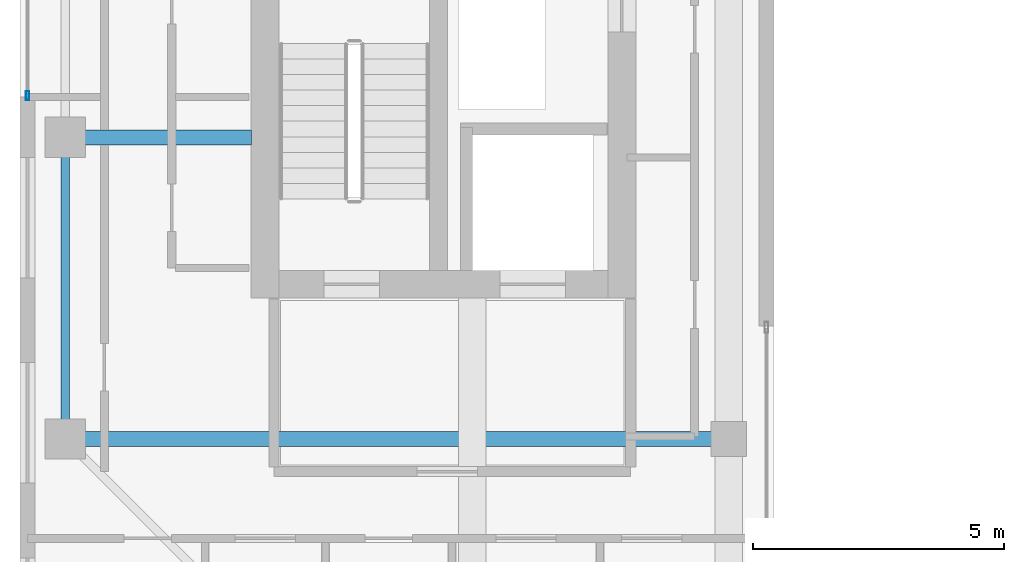
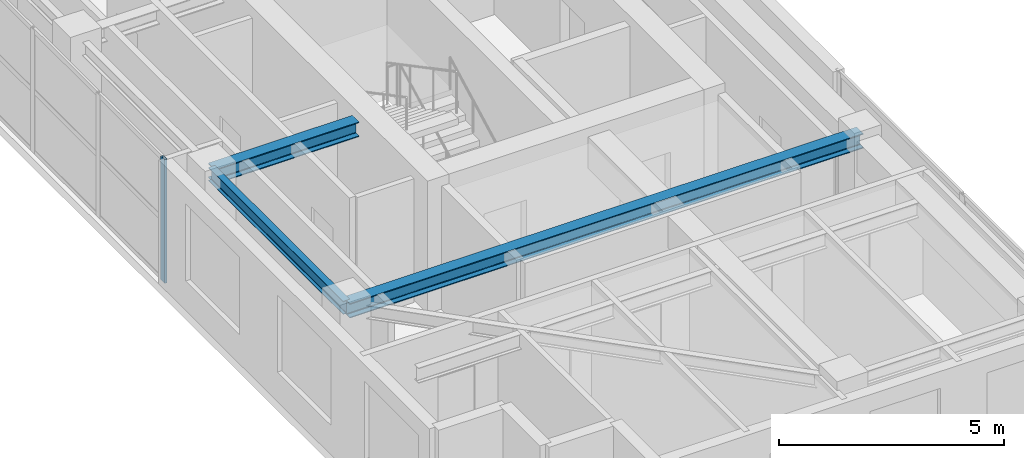
# One storey, part 3 of 23: 3 beams, 1 member, 1 element without a shape of its own.
"""IFC4 building model written with IfcOpenShell, lengths in metres."""

from ifc_helpers import new_model, si_unit, direction, frame, origin, origin_2d, place, context, subcontext, project, spatial, hollow_rectangle, i_section, extrude, source, transform, mapped, material, layer, layer_set, material_profile, profile_set, type_object, element, aggregate, save


model = new_model("IFC4")

# Units and contexts
model_context = context("Model", 3, precision=1e-05, world=origin(), true_north=direction((0.0, 1.0)))
body_context = subcontext(model_context, "Body", "Model", "MODEL_VIEW")
ifc_project = project(units=[si_unit("LENGTHUNIT", "METRE"), si_unit("AREAUNIT", "SQUARE_METRE"), si_unit("VOLUMEUNIT", "CUBIC_METRE"), si_unit("PLANEANGLEUNIT", "RADIAN"), si_unit("MASSUNIT", "GRAM", prefix="KILO")], contexts=[model_context])

# Site, building, storey
site_placement = place(None, origin())
site = spatial("IfcSite", under=ifc_project, at=site_placement, CompositionType="ELEMENT")
building_placement = place(site_placement, origin())
building = spatial("IfcBuilding", under=site, at=building_placement, Name="Khoralis Quay Care Tower", CompositionType="ELEMENT")
storey_placement = place(building_placement, frame((0.0, 0.0, 252.89990234375)))
storey = spatial("IfcBuildingStorey", under=building, at=storey_placement, Name="L66", CompositionType="ELEMENT", Elevation=252.89990234375)

# Beams
ifc_material_1 = material(Name="Steel S355", Category="steel")
ifc_material_profile_1 = material_profile(ifc_material_1, i_section(OverallWidth=0.169921875, OverallDepth=0.360107421875, WebThickness=0.008056640625, FlangeThickness=0.0126953125, FilletRadius=0.01806640625, at=origin_2d()), Name="Steel S355")
ifc_profile_set_1 = profile_set([ifc_material_profile_1], Name="Steel S355")
beam_type_1 = type_object("IfcBeamType", Name="BM-IPE360", PredefinedType="SPANDREL", material=ifc_profile_set_1)
shared_shape_1 = source(origin(), body_context, "Body", "SweptSolid", [
    extrude(i_section(OverallWidth=0.169921875, OverallDepth=0.360107421875, WebThickness=0.008056640625, FlangeThickness=0.0126953125, FilletRadius=0.01806640625, at=origin_2d()), origin(), (0.0, 0.0, 1.0), 6.0),
])
beam_1_placement = place(storey_placement, frame((3.89990234375, 12.0, 3.18017578125), z_axis=(0.0, 1.0, 0.0), x_axis=(-1.0, 0.0, 0.0)))
element("IfcBeam", 1, at=beam_1_placement, inside=storey, type_object=beam_type_1, Name="BM-TSP-L66-05", PredefinedType="SPANDREL", context=body_context, shape_type="MappedRepresentation", body=[
    mapped(shared_shape_1, transform((0.0, 0.0, 0.0), scale=1.0)),
])
ifc_material_profile_2 = material_profile(ifc_material_1, i_section(OverallWidth=0.300048828125, OverallDepth=0.39990234375, WebThickness=0.013427734375, FlangeThickness=0.02392578125, FilletRadius=0.027099609375, at=origin_2d()), Name="Steel S355")
ifc_profile_set_2 = profile_set([ifc_material_profile_2], Name="Steel S355")
beam_type_2 = type_object("IfcBeamType", Name="BM-HEB400", PredefinedType="BEAM", material=ifc_profile_set_2)
shared_shape_2 = source(origin(), body_context, "Body", "SweptSolid", [
    extrude(i_section(OverallWidth=0.300048828125, OverallDepth=0.39990234375, WebThickness=0.013427734375, FlangeThickness=0.02392578125, FilletRadius=0.027099609375, at=origin_2d()), origin(), (0.0, 0.0, 1.0), 13.2001953125),
])
beam_2_placement = place(storey_placement, frame((3.89990234375, 12.0, 3.16015625), z_axis=(1.0, 0.0, 0.0), x_axis=(0.0, 1.0, 0.0)))
element("IfcBeam", 2, at=beam_2_placement, inside=storey, type_object=beam_type_2, Name="BM-TGXW-L66-120", PredefinedType="BEAM", context=body_context, shape_type="MappedRepresentation", body=[
    mapped(shared_shape_2, transform((0.0, 0.0, 0.0), scale=1.0)),
])
shared_shape_3 = source(origin(), body_context, "Body", "SweptSolid", [
    extrude(i_section(OverallWidth=0.300048828125, OverallDepth=0.39990234375, WebThickness=0.013427734375, FlangeThickness=0.02392578125, FilletRadius=0.027099609375, at=origin_2d()), origin(), (0.0, 0.0, 1.0), 3.7021484375),
])
beam_3_placement = place(storey_placement, frame((3.89990234375, 18.0, 3.16015625), z_axis=(1.0, 0.0, 0.0), x_axis=(0.0, 1.0, 0.0)))
element("IfcBeam", 3, at=beam_3_placement, inside=storey, type_object=beam_type_2, Name="BM-TGXW-L66-180", PredefinedType="BEAM", context=body_context, shape_type="MappedRepresentation", body=[
    mapped(shared_shape_3, transform((0.0, 0.0, 0.0), scale=1.0)),
])

# Curtain wall, member
ifc_material_2 = material(Name="Pale anodised aluminium", Category="aluminium")
ifc_layer = layer(ifc_material_2, 0.159912109375)
ifc_layer_set = layer_set([ifc_layer], Name="Pale anodised aluminium")
curtain_wall_type = type_object("IfcCurtainWallType", Name="CW-SYS-Z3", PredefinedType="NOTDEFINED", material=ifc_layer_set)
curtain_wall_placement = place(storey_placement, origin())
curtain_wall = element("IfcCurtainWall", 4, at=curtain_wall_placement, inside=storey, type_object=curtain_wall_type, Name="L66 Unitised Curtain Wall CW-L66-P1-E7", PredefinedType="NOTDEFINED")
ifc_material_profile_3 = material_profile(ifc_material_2, hollow_rectangle(XDim=0.06494140625, YDim=0.179931640625, WallThickness=0.00390625, at=origin_2d()), Name="Pale anodised aluminium")
ifc_profile_set_3 = profile_set([ifc_material_profile_3], Name="Pale anodised aluminium")
member_type = type_object("IfcMemberType", Name="CW-MUL-180", PredefinedType="MULLION", material=ifc_profile_set_3)
shared_shape_4 = source(origin(), body_context, "Body", "SweptSolid", [
    extrude(hollow_rectangle(XDim=0.06494140625, YDim=0.179931640625, WallThickness=0.00390625, at=origin_2d()), origin(), (0.0, 0.0, 1.0), 3.360107421875),
])
member_placement = place(storey_placement, frame((3.14990234375, 18.830078125, 0.0), z_axis=(0.0, 0.0, 1.0), x_axis=(1.0, 0.0, 0.0)))
member = element("IfcMember", 5, at=member_placement, type_object=member_type, Name="CW3 mullion 4", PredefinedType="MULLION", context=body_context, shape_type="MappedRepresentation", body=[
    mapped(shared_shape_4, transform((0.0, 0.0, 0.0), scale=1.0)),
])
aggregate(curtain_wall, [member])

save(model, "model.ifc")
